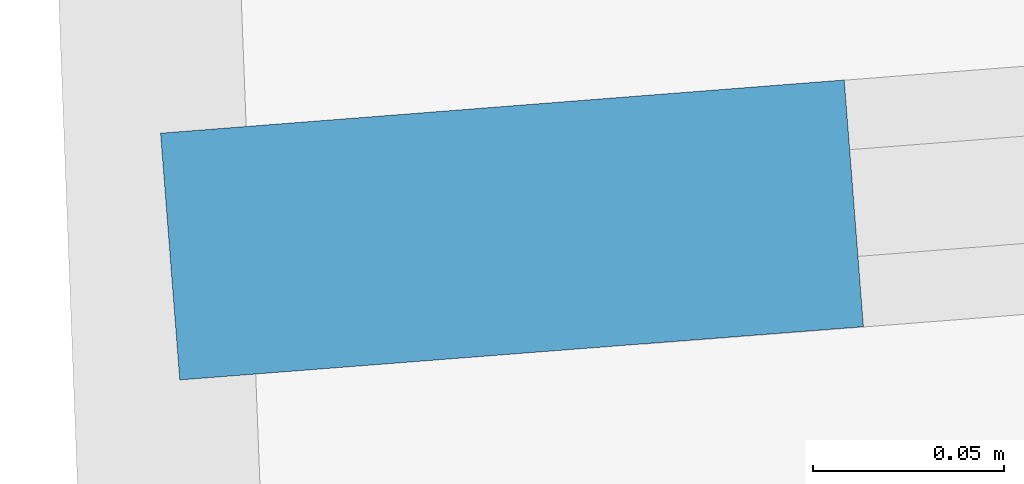
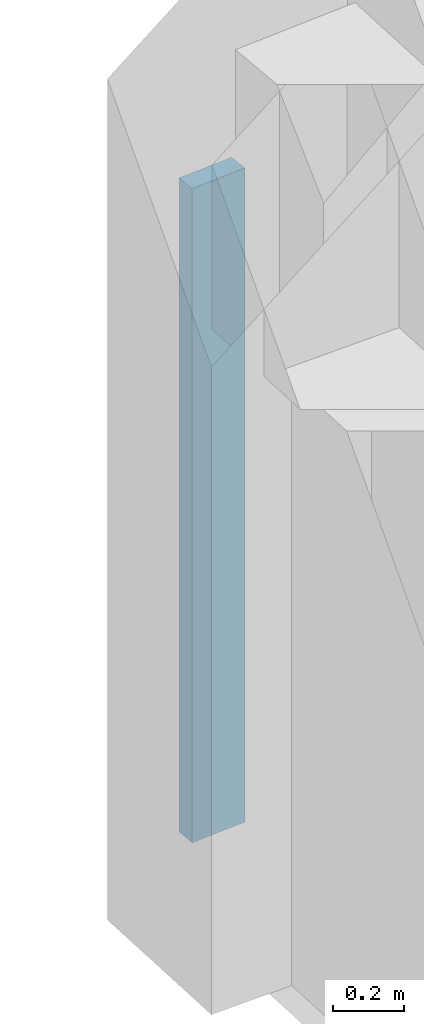
# One storey, part 13 of 70: 1 member, 1 element without a shape of its own.
"""IFC4 building model written with IfcOpenShell, lengths in metres."""

from ifc_helpers import new_model, si_unit, direction, frame, origin, origin_2d, place, context, subcontext, project, spatial, rectangle, extrude, material, material_profile, profile_set, type_object, element, aggregate, save


model = new_model("IFC4")

# Units and contexts
model_context = context("Model", 3, precision=1e-05, world=origin(), true_north=direction((0.0, 1.0)))
body_context = subcontext(model_context, "Body", "Model", "MODEL_VIEW")
ifc_project = project(units=[si_unit("LENGTHUNIT", "METRE"), si_unit("AREAUNIT", "SQUARE_METRE"), si_unit("VOLUMEUNIT", "CUBIC_METRE"), si_unit("PLANEANGLEUNIT", "RADIAN"), si_unit("MASSUNIT", "GRAM", prefix="KILO")], contexts=[model_context])

# Site, building, storey
site_placement = place(None, origin())
site = spatial("IfcSite", under=ifc_project, at=site_placement, CompositionType="ELEMENT")
building_placement = place(site_placement, origin())
building = spatial("IfcBuilding", under=site, at=building_placement, Name="Zimvara Arc Housing Community", CompositionType="ELEMENT")
storey_placement = place(building_placement, frame((0.0, 0.0, 8.10009765625)))
storey = spatial("IfcBuildingStorey", under=building, at=storey_placement, Name="L02", CompositionType="ELEMENT", Elevation=8.10009765625)

# Curtain wall, member
ifc_material_1 = material(Name="Anodised Aluminium AW-6063", Category="aluminium")
curtain_wall_type = type_object("IfcCurtainWallType", Name="CW-SYS-06", PredefinedType="USERDEFINED", material=ifc_material_1)
curtain_wall_placement = place(storey_placement, origin())
curtain_wall = element("IfcCurtainWall", 1, at=curtain_wall_placement, inside=storey, type_object=curtain_wall_type, Name="cw:blkD:L02:in:b0", ObjectType="CURTAIN WALL", PredefinedType="USERDEFINED")
ifc_material_2 = material(Name="Anodised Aluminium AW-6063", Category="aluminium")
ifc_material_profile = material_profile(ifc_material_2, rectangle(XDim=0.06494140625, YDim=0.179931640625, at=origin_2d()), Name="ALU 65x180")
ifc_profile_set = profile_set([ifc_material_profile], Name="Anodised Aluminium AW-6063")
member_type = type_object("IfcMemberType", Name="CWM-65x150", PredefinedType="MULLION", material=ifc_profile_set)
member_placement = place(storey_placement, frame((127.78515625, 65.280029296875, 0.0), z_axis=(0.0, 0.0, 1.0), x_axis=(-0.077590099579, 0.996985344149, 0.0)))
member = element("IfcMember", 2, at=member_placement, type_object=member_type, Name="CW06 mullion 1", PredefinedType="MULLION", context=body_context, shape_type="SweptSolid", body=[
    extrude(rectangle(XDim=0.06494140625, YDim=0.179931640625, at=origin_2d()), origin(), (0.0, 0.0, 1.0), 2.25),
])
aggregate(curtain_wall, [member])

save(model, "model.ifc")
